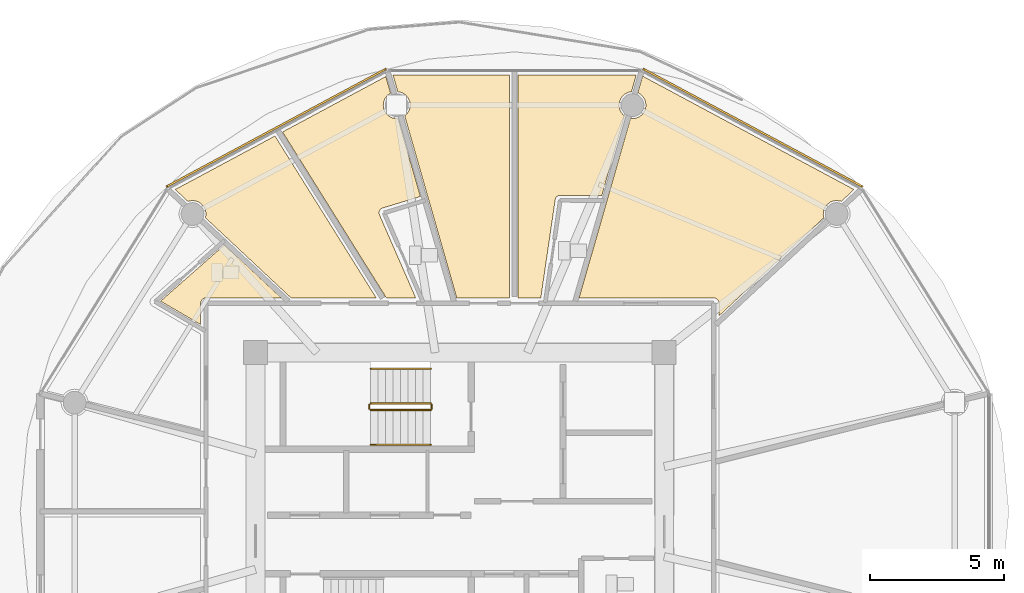
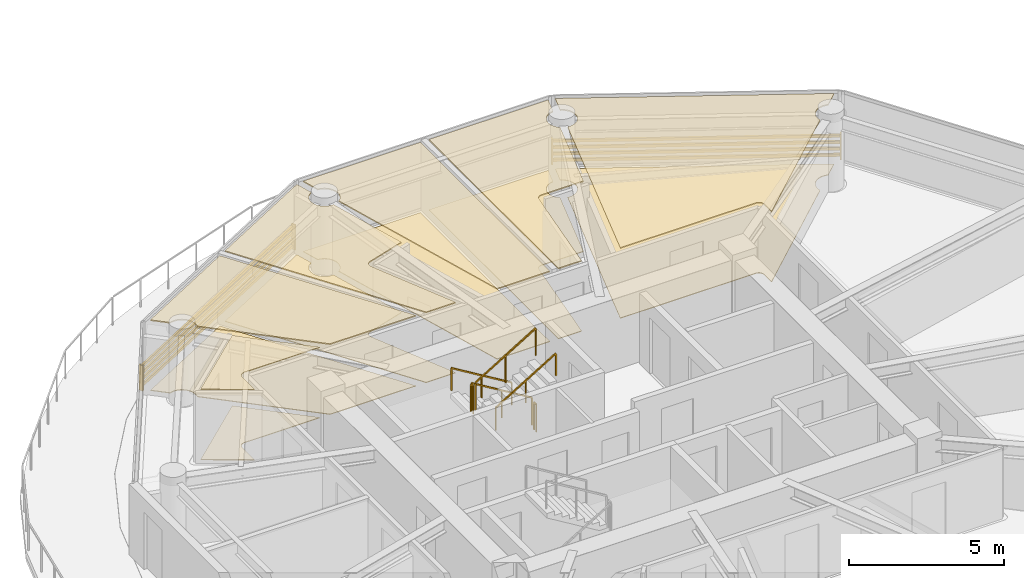
# One storey, part 24 of 32: 12 coverings, 6 railings, 2 shading devices.
"""IFC4 building model written with IfcOpenShell, lengths in metres."""

from ifc_helpers import new_model, si_unit, direction, frame, origin, origin_2d, place, context, subcontext, project, spatial, polyline, rectangle, outline, extrude, source, transform, mapped, material, layer, layer_set, type_object, type_shapes, element, save


model = new_model("IFC4")

# Units and contexts
model_context = context("Model", 3, precision=1e-05, world=origin(), true_north=direction((0.0, 1.0)))
body_context = subcontext(model_context, "Body", "Model", "MODEL_VIEW")
ifc_project = project(units=[si_unit("LENGTHUNIT", "METRE"), si_unit("AREAUNIT", "SQUARE_METRE"), si_unit("VOLUMEUNIT", "CUBIC_METRE"), si_unit("PLANEANGLEUNIT", "RADIAN"), si_unit("MASSUNIT", "GRAM", prefix="KILO")], contexts=[model_context])

# Site, building, storey
site_placement = place(None, origin())
site = spatial("IfcSite", under=ifc_project, at=site_placement, CompositionType="ELEMENT")
building_placement = place(site_placement, origin())
building = spatial("IfcBuilding", under=site, at=building_placement, Name="Norrkilde Senior Care Towers", CompositionType="ELEMENT")
storey_placement = place(building_placement, frame((0.0, 0.0, 77.949951171875)))
storey = spatial("IfcBuildingStorey", under=building, at=storey_placement, Name="L23", CompositionType="ELEMENT", Elevation=77.949951171875)

# Coverings
ifc_material_1 = material(Name="Nordic Ash Timber", Category="wood")
ifc_layer_1 = layer(ifc_material_1, 0.044921875)
ifc_layer_set_1 = layer_set([ifc_layer_1], Name="Nordic Ash Timber")
covering_type_1 = type_object("IfcCoveringType", Name="Acoustic Ash Timber Slatted Ceiling 45", PredefinedType="CEILING", material=ifc_layer_set_1)
covering_1_placement = place(storey_placement, frame((0.0, 0.0, 2.7451171875)))
element("IfcCovering", 1, at=covering_1_placement, inside=storey, type_object=covering_type_1, Name="L23 Suspended Ceiling 0216", PredefinedType="CEILING", context=body_context, shape_type="SweptSolid", body=[
    extrude(outline(polyline([(-18.302734375, 7.833251953125), (-18.30517578125, 7.8447265625), (-18.30712890625, 7.852294921875), (-18.310546875, 7.86376953125), (-18.31298828125, 7.87109375), (-18.317626953125, 7.8818359375), (-18.321044921875, 7.888916015625), (-18.326416015625, 7.8994140625), (-18.33056640625, 7.90625), (-18.337158203125, 7.916015625), (-18.341796875, 7.92236328125), (-18.34912109375, 7.931396484375), (-18.3544921875, 7.937255859375), (-18.36279296875, 7.945556640625), (-18.36865234375, 7.95068359375), (-18.377685546875, 7.958251953125), (-18.384033203125, 7.962890625), (-18.393798828125, 7.969482421875), (-18.400634765625, 7.973388671875), (-18.410888671875, 7.97900390625), (-18.41796875, 7.982421875), (-18.428955078125, 7.98681640625), (-18.436279296875, 7.989501953125), (-18.447509765625, 7.992919921875), (-18.455322265625, 7.994873046875), (-18.466796875, 7.9970703125), (-18.474609375, 7.998291015625), (-18.486328125, 7.99951171875), (-18.494140625, 7.999755859375), (-18.5, 8.0), (-23.53515625, 8.0), (-21.612060546875, 14.71826171875), (-21.537109375, 14.708251953125), (-21.406494140625, 14.7255859375), (-21.28466796875, 14.77587890625), (-21.179931640625, 14.856201171875), (-21.099853515625, 14.9609375), (-21.04931640625, 15.08251953125), (-21.0322265625, 15.21337890625), (-21.04931640625, 15.343994140625), (-21.099853515625, 15.4658203125), (-21.179931640625, 15.5703125), (-21.28466796875, 15.650634765625), (-21.3388671875, 15.673095703125), (-21.159423828125, 16.2998046875), (-13.2470703125, 12.055419921875), (-13.724365234375, 11.608642578125), (-13.76318359375, 11.624755859375), (-13.893798828125, 11.641845703125), (-14.0244140625, 11.624755859375), (-14.146240234375, 11.57421875), (-14.2509765625, 11.494140625), (-14.3310546875, 11.389404296875), (-14.381591796875, 11.267578125), (-14.39892578125, 11.136962890625), (-14.381591796875, 11.00634765625), (-14.377685546875, 10.9970703125), (-18.300048828125, 7.325439453125), (-18.300048828125, 7.800048828125), (-18.300048828125, 7.805908203125), (-18.300537109375, 7.813720703125), (-18.3017578125, 7.825439453125), (-18.302734375, 7.833251953125)])), origin(), (0.0, 0.0, 1.0), 0.044921875),
])
covering_2_placement = place(storey_placement, frame((0.0, 0.0, 2.7451171875)))
element("IfcCovering", 2, at=covering_2_placement, inside=storey, type_object=covering_type_1, Name="L23 Suspended Ceiling 0217", PredefinedType="CEILING", context=body_context, shape_type="SweptSolid", body=[
    extrude(outline(polyline([(-24.265869140625, 11.83740234375), (-24.2724609375, 11.83642578125), (-24.28369140625, 11.834228515625), (-24.2900390625, 11.832763671875), (-24.301025390625, 11.82958984375), (-24.307373046875, 11.827392578125), (-24.31787109375, 11.8232421875), (-24.323974609375, 11.820556640625), (-24.334228515625, 11.815185546875), (-24.33984375, 11.81201171875), (-24.349609375, 11.8056640625), (-24.35498046875, 11.802001953125), (-24.364013671875, 11.794921875), (-24.368896484375, 11.79052734375), (-24.377197265625, 11.78271484375), (-24.3818359375, 11.77783203125), (-24.389404296875, 11.769287109375), (-24.3935546875, 11.76416015625), (-24.400146484375, 11.7548828125), (-24.40380859375, 11.749267578125), (-24.409423828125, 11.7392578125), (-24.41259765625, 11.7333984375), (-24.417236328125, 11.72314453125), (-24.419677734375, 11.716796875), (-24.423583984375, 11.7060546875), (-24.425537109375, 11.69970703125), (-24.42822265625, 11.688720703125), (-24.429443359375, 11.68212890625), (-24.430419921875, 11.676513671875), (-24.96923828125, 8.0), (-25.830078125, 8.0), (-25.830078125, 16.33935546875), (-21.397705078125, 16.33935546875), (-21.5771484375, 15.713134765625), (-21.667724609375, 15.701171875), (-21.78955078125, 15.650634765625), (-21.894287109375, 15.5703125), (-21.974365234375, 15.4658203125), (-22.02490234375, 15.343994140625), (-22.042236328125, 15.21337890625), (-22.02490234375, 15.08251953125), (-21.974365234375, 14.9609375), (-21.894287109375, 14.856201171875), (-21.835205078125, 14.81103515625), (-22.6865234375, 11.8369140625), (-24.2421875, 11.8388671875), (-24.247802734375, 11.8388671875), (-24.254638671875, 11.83837890625), (-24.265869140625, 11.83740234375)])), origin(), (0.0, 0.0, 1.0), 0.044921875),
])
covering_3_placement = place(storey_placement, frame((0.0, 0.0, 2.7451171875)))
element("IfcCovering", 3, at=covering_3_placement, inside=storey, type_object=covering_type_1, Name="L23 Suspended Ceiling 0218", PredefinedType="CEILING", context=body_context, shape_type="SweptSolid", body=[
    extrude(outline(polyline([(-26.14990234375, 16.33935546875), (-26.14990234375, 8.0), (-28.115234375, 8.0), (-30.064697265625, 14.81103515625), (-30.005859375, 14.856201171875), (-29.925537109375, 14.9609375), (-29.875, 15.08251953125), (-29.85791015625, 15.21337890625), (-29.875, 15.343994140625), (-29.925537109375, 15.4658203125), (-30.005859375, 15.5703125), (-30.1103515625, 15.650634765625), (-30.232177734375, 15.701171875), (-30.322998046875, 15.713134765625), (-30.502197265625, 16.33935546875), (-26.14990234375, 16.33935546875)])), origin(), (0.0, 0.0, 1.0), 0.044921875),
])
covering_4_placement = place(storey_placement, frame((0.0, 0.0, 2.7451171875)))
element("IfcCovering", 4, at=covering_4_placement, inside=storey, type_object=covering_type_1, Name="L23 Suspended Ceiling 0219", PredefinedType="CEILING", context=body_context, shape_type="SweptSolid", body=[
    extrude(outline(polyline([(-30.911376953125, 11.353271484375), (-30.91748046875, 11.35009765625), (-30.927978515625, 11.344482421875), (-30.933837890625, 11.341064453125), (-30.94384765625, 11.334228515625), (-30.94921875, 11.330078125), (-30.95849609375, 11.322509765625), (-30.963623046875, 11.31787109375), (-30.971923828125, 11.309326171875), (-30.9765625, 11.30419921875), (-30.984130859375, 11.294921875), (-30.988037109375, 11.289306640625), (-30.99462890625, 11.279296875), (-30.998046875, 11.2734375), (-31.003662109375, 11.262939453125), (-31.006591796875, 11.256591796875), (-31.010986328125, 11.24560546875), (-31.01318359375, 11.239013671875), (-31.0166015625, 11.2275390625), (-31.01806640625, 11.220703125), (-31.020263671875, 11.208984375), (-31.021240234375, 11.2021484375), (-31.022216796875, 11.1904296875), (-31.0224609375, 11.183349609375), (-31.022216796875, 11.17138671875), (-31.021728515625, 11.16455078125), (-31.0205078125, 11.15283203125), (-31.019287109375, 11.14599609375), (-31.016845703125, 11.13427734375), (-31.014892578125, 11.127685546875), (-31.011474609375, 11.1162109375), (-31.0087890625, 11.10986328125), (-31.006591796875, 11.104248046875), (-29.65087890625, 8.0), (-30.751708984375, 8.0), (-30.78564453125, 8.05517578125), (-30.7861328125, 8.055908203125), (-34.635986328125, 14.210205078125), (-30.770751953125, 16.283447265625), (-30.591064453125, 15.66064453125), (-30.615478515625, 15.650634765625), (-30.719970703125, 15.5703125), (-30.80029296875, 15.4658203125), (-30.8505859375, 15.343994140625), (-30.867919921875, 15.21337890625), (-30.8505859375, 15.08251953125), (-30.80029296875, 14.9609375), (-30.719970703125, 14.856201171875), (-30.615478515625, 14.77587890625), (-30.49365234375, 14.7255859375), (-30.36279296875, 14.708251953125), (-30.318115234375, 14.714111328125), (-29.475341796875, 11.794189453125), (-30.88818359375, 11.362060546875), (-30.893798828125, 11.360107421875), (-30.900390625, 11.357666015625), (-30.911376953125, 11.353271484375)])), origin(), (0.0, 0.0, 1.0), 0.044921875),
])
covering_5_placement = place(storey_placement, frame((0.0, 0.0, 2.7451171875)))
element("IfcCovering", 5, at=covering_5_placement, inside=storey, type_object=covering_type_1, Name="L23 Suspended Ceiling 0220", PredefinedType="CEILING", context=body_context, shape_type="SweptSolid", body=[
    extrude(outline(polyline([(-34.320556640625, 8.0), (-37.522216796875, 10.9970703125), (-37.518310546875, 11.00634765625), (-37.501220703125, 11.136962890625), (-37.518310546875, 11.267578125), (-37.56884765625, 11.389404296875), (-37.649169921875, 11.494140625), (-37.753662109375, 11.57421875), (-37.87548828125, 11.624755859375), (-38.006103515625, 11.641845703125), (-38.136962890625, 11.624755859375), (-38.17578125, 11.608642578125), (-38.65283203125, 12.055419921875), (-34.918701171875, 14.05859375), (-31.128662109375, 8.0), (-34.320556640625, 8.0)])), origin(), (0.0, 0.0, 1.0), 0.044921875),
])
ifc_material_2 = material(Name="Gypsum Acoustic Board")
ifc_layer_2 = layer(ifc_material_2, 0.030029296875)
ifc_layer_set_2 = layer_set([ifc_layer_2], Name="Gypsum Acoustic Board")
covering_type_2 = type_object("IfcCoveringType", Name="Medical Cleanable Gypsum Ceiling 30", PredefinedType="CEILING", material=ifc_layer_set_2)
covering_6_placement = place(storey_placement, frame((0.0, 0.0, 2.760009765625)))
element("IfcCovering", 6, at=covering_6_placement, inside=storey, type_object=covering_type_2, Name="L23 Suspended Ceiling 0222", PredefinedType="CEILING", context=body_context, shape_type="SweptSolid", body=[
    extrude(outline(polyline([(-37.513671875, 7.99951171875), (-37.525390625, 7.998291015625), (-37.533203125, 7.9970703125), (-37.544677734375, 7.994873046875), (-37.552490234375, 7.992919921875), (-37.563720703125, 7.989501953125), (-37.571044921875, 7.98681640625), (-37.58203125, 7.982421875), (-37.589111328125, 7.97900390625), (-37.599365234375, 7.973388671875), (-37.606201171875, 7.969482421875), (-37.615966796875, 7.962890625), (-37.622314453125, 7.958251953125), (-37.63134765625, 7.95068359375), (-37.63720703125, 7.945556640625), (-37.6455078125, 7.937255859375), (-37.65087890625, 7.931396484375), (-37.658203125, 7.92236328125), (-37.662841796875, 7.916015625), (-37.66943359375, 7.90625), (-37.673583984375, 7.8994140625), (-37.678955078125, 7.888916015625), (-37.682373046875, 7.8818359375), (-37.68701171875, 7.87109375), (-37.689453125, 7.86376953125), (-37.69287109375, 7.852294921875), (-37.69482421875, 7.8447265625), (-37.697265625, 7.833251953125), (-37.6982421875, 7.825439453125), (-37.699462890625, 7.813720703125), (-37.699951171875, 7.805908203125), (-37.699951171875, 7.800048828125), (-37.699951171875, 7.0), (-39.201171875, 7.876708984375), (-36.8095703125, 9.983642578125), (-34.686767578125, 8.0), (-37.5, 8.0), (-37.505859375, 7.999755859375), (-37.513671875, 7.99951171875)])), origin(), (0.0, 0.0, 1.0), 0.030029296875),
])
ifc_material_3 = material(Name="Slip-Resistant Porcelain Stone", Category="masonry")
ifc_layer_3 = layer(ifc_material_3, 0.02490234375)
ifc_layer_set_3 = layer_set([ifc_layer_3], Name="Slip-Resistant Porcelain Stone")
covering_type_3 = type_object("IfcCoveringType", Name="Slip-Resistant Porcelain Flooring 25", PredefinedType="FLOORING", material=ifc_layer_set_3)
covering_7_placement = place(storey_placement, origin())
element("IfcCovering", 7, at=covering_7_placement, inside=storey, type_object=covering_type_3, Name="L23 Floor Finish 0216", PredefinedType="FLOORING", context=body_context, shape_type="SweptSolid", body=[
    extrude(outline(polyline([(-18.302734375, 7.833251953125), (-18.30517578125, 7.8447265625), (-18.30712890625, 7.852294921875), (-18.310546875, 7.86376953125), (-18.31298828125, 7.87109375), (-18.317626953125, 7.8818359375), (-18.321044921875, 7.888916015625), (-18.326416015625, 7.8994140625), (-18.33056640625, 7.90625), (-18.337158203125, 7.916015625), (-18.341796875, 7.92236328125), (-18.34912109375, 7.931396484375), (-18.3544921875, 7.937255859375), (-18.36279296875, 7.945556640625), (-18.36865234375, 7.95068359375), (-18.377685546875, 7.958251953125), (-18.384033203125, 7.962890625), (-18.393798828125, 7.969482421875), (-18.400634765625, 7.973388671875), (-18.410888671875, 7.97900390625), (-18.41796875, 7.982421875), (-18.428955078125, 7.98681640625), (-18.436279296875, 7.989501953125), (-18.447509765625, 7.992919921875), (-18.455322265625, 7.994873046875), (-18.466796875, 7.9970703125), (-18.474609375, 7.998291015625), (-18.486328125, 7.99951171875), (-18.494140625, 7.999755859375), (-18.5, 8.0), (-23.53515625, 8.0), (-21.612060546875, 14.71826171875), (-21.537109375, 14.708251953125), (-21.406494140625, 14.7255859375), (-21.28466796875, 14.77587890625), (-21.179931640625, 14.856201171875), (-21.099853515625, 14.9609375), (-21.04931640625, 15.08251953125), (-21.0322265625, 15.21337890625), (-21.04931640625, 15.343994140625), (-21.099853515625, 15.4658203125), (-21.179931640625, 15.5703125), (-21.28466796875, 15.650634765625), (-21.3388671875, 15.673095703125), (-21.159423828125, 16.2998046875), (-13.2470703125, 12.055419921875), (-13.724365234375, 11.608642578125), (-13.76318359375, 11.624755859375), (-13.893798828125, 11.641845703125), (-14.0244140625, 11.624755859375), (-14.146240234375, 11.57421875), (-14.2509765625, 11.494140625), (-14.3310546875, 11.389404296875), (-14.381591796875, 11.267578125), (-14.39892578125, 11.136962890625), (-14.381591796875, 11.00634765625), (-14.377685546875, 10.9970703125), (-18.300048828125, 7.325439453125), (-18.300048828125, 7.800048828125), (-18.300048828125, 7.805908203125), (-18.300537109375, 7.813720703125), (-18.3017578125, 7.825439453125), (-18.302734375, 7.833251953125)])), origin(), (0.0, 0.0, 1.0), 0.025146484375),
])
covering_8_placement = place(storey_placement, origin())
element("IfcCovering", 8, at=covering_8_placement, inside=storey, type_object=covering_type_3, Name="L23 Floor Finish 0217", PredefinedType="FLOORING", context=body_context, shape_type="SweptSolid", body=[
    extrude(outline(polyline([(-24.265869140625, 11.83740234375), (-24.2724609375, 11.83642578125), (-24.28369140625, 11.834228515625), (-24.2900390625, 11.832763671875), (-24.301025390625, 11.82958984375), (-24.307373046875, 11.827392578125), (-24.31787109375, 11.8232421875), (-24.323974609375, 11.820556640625), (-24.334228515625, 11.815185546875), (-24.33984375, 11.81201171875), (-24.349609375, 11.8056640625), (-24.35498046875, 11.802001953125), (-24.364013671875, 11.794921875), (-24.368896484375, 11.79052734375), (-24.377197265625, 11.78271484375), (-24.3818359375, 11.77783203125), (-24.389404296875, 11.769287109375), (-24.3935546875, 11.76416015625), (-24.400146484375, 11.7548828125), (-24.40380859375, 11.749267578125), (-24.409423828125, 11.7392578125), (-24.41259765625, 11.7333984375), (-24.417236328125, 11.72314453125), (-24.419677734375, 11.716796875), (-24.423583984375, 11.7060546875), (-24.425537109375, 11.69970703125), (-24.42822265625, 11.688720703125), (-24.429443359375, 11.68212890625), (-24.430419921875, 11.676513671875), (-24.96923828125, 8.0), (-25.830078125, 8.0), (-25.830078125, 16.33935546875), (-21.397705078125, 16.33935546875), (-21.5771484375, 15.713134765625), (-21.667724609375, 15.701171875), (-21.78955078125, 15.650634765625), (-21.894287109375, 15.5703125), (-21.974365234375, 15.4658203125), (-22.02490234375, 15.343994140625), (-22.042236328125, 15.21337890625), (-22.02490234375, 15.08251953125), (-21.974365234375, 14.9609375), (-21.894287109375, 14.856201171875), (-21.835205078125, 14.81103515625), (-22.6865234375, 11.8369140625), (-24.2421875, 11.8388671875), (-24.247802734375, 11.8388671875), (-24.254638671875, 11.83837890625), (-24.265869140625, 11.83740234375)])), origin(), (0.0, 0.0, 1.0), 0.025146484375),
])
covering_9_placement = place(storey_placement, origin())
element("IfcCovering", 9, at=covering_9_placement, inside=storey, type_object=covering_type_3, Name="L23 Floor Finish 0218", PredefinedType="FLOORING", context=body_context, shape_type="SweptSolid", body=[
    extrude(outline(polyline([(-26.14990234375, 16.33935546875), (-26.14990234375, 8.0), (-28.115234375, 8.0), (-30.064697265625, 14.81103515625), (-30.005859375, 14.856201171875), (-29.925537109375, 14.9609375), (-29.875, 15.08251953125), (-29.85791015625, 15.21337890625), (-29.875, 15.343994140625), (-29.925537109375, 15.4658203125), (-30.005859375, 15.5703125), (-30.1103515625, 15.650634765625), (-30.232177734375, 15.701171875), (-30.322998046875, 15.713134765625), (-30.502197265625, 16.33935546875), (-26.14990234375, 16.33935546875)])), origin(), (0.0, 0.0, 1.0), 0.025146484375),
])
covering_10_placement = place(storey_placement, origin())
element("IfcCovering", 10, at=covering_10_placement, inside=storey, type_object=covering_type_3, Name="L23 Floor Finish 0219", PredefinedType="FLOORING", context=body_context, shape_type="SweptSolid", body=[
    extrude(outline(polyline([(-30.911376953125, 11.353271484375), (-30.91748046875, 11.35009765625), (-30.927978515625, 11.344482421875), (-30.933837890625, 11.341064453125), (-30.94384765625, 11.334228515625), (-30.94921875, 11.330078125), (-30.95849609375, 11.322509765625), (-30.963623046875, 11.31787109375), (-30.971923828125, 11.309326171875), (-30.9765625, 11.30419921875), (-30.984130859375, 11.294921875), (-30.988037109375, 11.289306640625), (-30.99462890625, 11.279296875), (-30.998046875, 11.2734375), (-31.003662109375, 11.262939453125), (-31.006591796875, 11.256591796875), (-31.010986328125, 11.24560546875), (-31.01318359375, 11.239013671875), (-31.0166015625, 11.2275390625), (-31.01806640625, 11.220703125), (-31.020263671875, 11.208984375), (-31.021240234375, 11.2021484375), (-31.022216796875, 11.1904296875), (-31.0224609375, 11.183349609375), (-31.022216796875, 11.17138671875), (-31.021728515625, 11.16455078125), (-31.0205078125, 11.15283203125), (-31.019287109375, 11.14599609375), (-31.016845703125, 11.13427734375), (-31.014892578125, 11.127685546875), (-31.011474609375, 11.1162109375), (-31.0087890625, 11.10986328125), (-31.006591796875, 11.104248046875), (-29.65087890625, 8.0), (-30.751708984375, 8.0), (-30.78564453125, 8.05517578125), (-30.7861328125, 8.055908203125), (-34.635986328125, 14.210205078125), (-30.770751953125, 16.283447265625), (-30.591064453125, 15.66064453125), (-30.615478515625, 15.650634765625), (-30.719970703125, 15.5703125), (-30.80029296875, 15.4658203125), (-30.8505859375, 15.343994140625), (-30.867919921875, 15.21337890625), (-30.8505859375, 15.08251953125), (-30.80029296875, 14.9609375), (-30.719970703125, 14.856201171875), (-30.615478515625, 14.77587890625), (-30.49365234375, 14.7255859375), (-30.36279296875, 14.708251953125), (-30.318115234375, 14.714111328125), (-29.475341796875, 11.794189453125), (-30.88818359375, 11.362060546875), (-30.893798828125, 11.360107421875), (-30.900390625, 11.357666015625), (-30.911376953125, 11.353271484375)])), origin(), (0.0, 0.0, 1.0), 0.025146484375),
])
covering_11_placement = place(storey_placement, origin())
element("IfcCovering", 11, at=covering_11_placement, inside=storey, type_object=covering_type_3, Name="L23 Floor Finish 0220", PredefinedType="FLOORING", context=body_context, shape_type="SweptSolid", body=[
    extrude(outline(polyline([(-34.320556640625, 8.0), (-37.522216796875, 10.9970703125), (-37.518310546875, 11.00634765625), (-37.501220703125, 11.136962890625), (-37.518310546875, 11.267578125), (-37.56884765625, 11.389404296875), (-37.649169921875, 11.494140625), (-37.753662109375, 11.57421875), (-37.87548828125, 11.624755859375), (-38.006103515625, 11.641845703125), (-38.136962890625, 11.624755859375), (-38.17578125, 11.608642578125), (-38.65283203125, 12.055419921875), (-34.918701171875, 14.05859375), (-31.128662109375, 8.0), (-34.320556640625, 8.0)])), origin(), (0.0, 0.0, 1.0), 0.025146484375),
])
covering_12_placement = place(storey_placement, origin())
element("IfcCovering", 12, at=covering_12_placement, inside=storey, type_object=covering_type_3, Name="L23 Floor Finish 0222", PredefinedType="FLOORING", context=body_context, shape_type="SweptSolid", body=[
    extrude(outline(polyline([(-37.513671875, 7.99951171875), (-37.525390625, 7.998291015625), (-37.533203125, 7.9970703125), (-37.544677734375, 7.994873046875), (-37.552490234375, 7.992919921875), (-37.563720703125, 7.989501953125), (-37.571044921875, 7.98681640625), (-37.58203125, 7.982421875), (-37.589111328125, 7.97900390625), (-37.599365234375, 7.973388671875), (-37.606201171875, 7.969482421875), (-37.615966796875, 7.962890625), (-37.622314453125, 7.958251953125), (-37.63134765625, 7.95068359375), (-37.63720703125, 7.945556640625), (-37.6455078125, 7.937255859375), (-37.65087890625, 7.931396484375), (-37.658203125, 7.92236328125), (-37.662841796875, 7.916015625), (-37.66943359375, 7.90625), (-37.673583984375, 7.8994140625), (-37.678955078125, 7.888916015625), (-37.682373046875, 7.8818359375), (-37.68701171875, 7.87109375), (-37.689453125, 7.86376953125), (-37.69287109375, 7.852294921875), (-37.69482421875, 7.8447265625), (-37.697265625, 7.833251953125), (-37.6982421875, 7.825439453125), (-37.699462890625, 7.813720703125), (-37.699951171875, 7.805908203125), (-37.699951171875, 7.800048828125), (-37.699951171875, 7.0), (-39.201171875, 7.876708984375), (-36.8095703125, 9.983642578125), (-34.686767578125, 8.0), (-37.5, 8.0), (-37.505859375, 7.999755859375), (-37.513671875, 7.99951171875)])), origin(), (0.0, 0.0, 1.0), 0.025146484375),
])

# Railings
ifc_material_4 = material(Name="Stainless Steel", Category="steel")
railing_type_1 = type_object("IfcRailingType", Name="Stair and Terrace Guardrail 1100", PredefinedType="GUARDRAIL", material=ifc_material_4)
railing_1_placement = place(storey_placement, frame((-29.10009765625, 4.050048828125, 0.16943359375)))
element("IfcRailing", 13, at=railing_1_placement, inside=storey, type_object=railing_type_1, Name="L23 ST-W1 stair guard 1", PredefinedType="GUARDRAIL", context=body_context, shape_type="SweptSolid", body=[
    extrude(rectangle(XDim=0.048095703125, YDim=0.048095703125, at=origin_2d()), frame((0.0, 0.0, 1.076171875), z_axis=(-0.855512035549, 0.0, 0.517782924622), x_axis=(0.0, -1.0, 0.0)), (0.0, 0.0, 1.0), 2.618408203125),
    extrude(rectangle(XDim=0.0419921875, YDim=0.0419921875, at=origin_2d()), origin(), (0.0, 0.0, 1.0), 1.050048828125),
    extrude(rectangle(XDim=0.0419921875, YDim=0.0419921875, at=origin_2d()), frame((-1.1201171875, 0.0, 0.677734375)), (0.0, 0.0, 1.0), 1.050048828125),
    extrude(rectangle(XDim=0.0419921875, YDim=0.0419921875, at=origin_2d()), frame((-2.239990234375, 0.0, 1.355712890625)), (0.0, 0.0, 1.0), 1.050048828125),
])
railing_2_placement = place(storey_placement, frame((-31.389892578125, 4.0, 1.525146484375)))
element("IfcRailing", 14, at=railing_2_placement, inside=storey, type_object=railing_type_1, Name="L23 ST-W1 stair guard 2", PredefinedType="GUARDRAIL", context=body_context, shape_type="SweptSolid", body=[
    extrude(rectangle(XDim=0.048095703125, YDim=0.048095703125, at=origin_2d()), frame((0.0, 0.0, 1.076171875), z_axis=(0.0, -1.0, 0.0), x_axis=(1.0, 0.0, 0.0)), (0.0, 0.0, 1.0), 0.14990234375),
    extrude(rectangle(XDim=0.0419921875, YDim=0.0419921875, at=origin_2d()), origin(), (0.0, 0.0, 1.0), 1.050048828125),
    extrude(rectangle(XDim=0.0419921875, YDim=0.0419921875, at=origin_2d()), frame((0.0, -0.14990234375, 0.0)), (0.0, 0.0, 1.0), 1.050048828125),
])
railing_3_placement = place(storey_placement, frame((-31.340087890625, 3.800048828125, 1.694580078125)))
element("IfcRailing", 15, at=railing_3_placement, inside=storey, type_object=railing_type_1, Name="L23 ST-W1 stair guard 3", PredefinedType="GUARDRAIL", context=body_context, shape_type="SweptSolid", body=[
    extrude(rectangle(XDim=0.048095703125, YDim=0.048095703125, at=origin_2d()), frame((0.0, 0.0, 1.076171875), z_axis=(0.855553338991, 0.0, 0.51771467445), x_axis=(0.0, 1.0, 0.0)), (0.0, 0.0, 1.0), 2.6181640625),
    extrude(rectangle(XDim=0.0419921875, YDim=0.0419921875, at=origin_2d()), origin(), (0.0, 0.0, 1.0), 1.050048828125),
    extrude(rectangle(XDim=0.0419921875, YDim=0.0419921875, at=origin_2d()), frame((1.1201171875, 0.0, 0.677734375)), (0.0, 0.0, 1.0), 1.050048828125),
    extrude(rectangle(XDim=0.0419921875, YDim=0.0419921875, at=origin_2d()), frame((2.239990234375, 0.0, 1.35546875)), (0.0, 0.0, 1.0), 1.050048828125),
])
railing_4_placement = place(storey_placement, frame((-29.050048828125, 4.0, 0.0)))
element("IfcRailing", 16, at=railing_4_placement, inside=storey, type_object=railing_type_1, Name="L23 ST-W1 stair guard 4", PredefinedType="GUARDRAIL", context=body_context, shape_type="SweptSolid", body=[
    extrude(rectangle(XDim=0.048095703125, YDim=0.048095703125, at=origin_2d()), frame((0.0, 0.0, 1.076171875), z_axis=(0.0, -1.0, 0.0), x_axis=(1.0, 0.0, 0.0)), (0.0, 0.0, 1.0), 0.14990234375),
    extrude(rectangle(XDim=0.0419921875, YDim=0.0419921875, at=origin_2d()), origin(), (0.0, 0.0, 1.0), 1.050048828125),
    extrude(rectangle(XDim=0.0419921875, YDim=0.0419921875, at=origin_2d()), frame((0.0, -0.14990234375, 0.0)), (0.0, 0.0, 1.0), 1.050048828125),
])
railing_type_2 = type_object("IfcRailingType", Name="Wall and Stair Handrail 900", PredefinedType="HANDRAIL", material=ifc_material_1)
railing_5_placement = place(storey_placement, frame((-29.10009765625, 5.35009765625, 0.16943359375)))
element("IfcRailing", 17, at=railing_5_placement, inside=storey, type_object=railing_type_2, Name="L23 ST-W1 stair handrail 1", PredefinedType="HANDRAIL", context=body_context, shape_type="SweptSolid", body=[
    extrude(rectangle(XDim=0.048095703125, YDim=0.048095703125, at=origin_2d()), frame((0.0, 0.0, 0.8759765625), z_axis=(-0.855512035549, 0.0, 0.517782924622), x_axis=(0.0, -1.0, 0.0)), (0.0, 0.0, 1.0), 2.618408203125),
    extrude(rectangle(XDim=0.0419921875, YDim=0.0419921875, at=origin_2d()), origin(), (0.0, 0.0, 1.0), 0.849853515625),
    extrude(rectangle(XDim=0.0419921875, YDim=0.0419921875, at=origin_2d()), frame((-1.1201171875, 0.0, 0.677734375)), (0.0, 0.0, 1.0), 0.849853515625),
    extrude(rectangle(XDim=0.0419921875, YDim=0.0419921875, at=origin_2d()), frame((-2.239990234375, 0.0, 1.355712890625)), (0.0, 0.0, 1.0), 0.849853515625),
])
railing_6_placement = place(storey_placement, frame((-31.340087890625, 2.5, 1.694580078125)))
element("IfcRailing", 18, at=railing_6_placement, inside=storey, type_object=railing_type_2, Name="L23 ST-W1 stair handrail 2", PredefinedType="HANDRAIL", context=body_context, shape_type="SweptSolid", body=[
    extrude(rectangle(XDim=0.048095703125, YDim=0.048095703125, at=origin_2d()), frame((0.0, 0.0, 0.8759765625), z_axis=(0.855553338991, 0.0, 0.51771467445), x_axis=(0.0, 1.0, 0.0)), (0.0, 0.0, 1.0), 2.6181640625),
    extrude(rectangle(XDim=0.0419921875, YDim=0.0419921875, at=origin_2d()), origin(), (0.0, 0.0, 1.0), 0.849853515625),
    extrude(rectangle(XDim=0.0419921875, YDim=0.0419921875, at=origin_2d()), frame((1.1201171875, 0.0, 0.677734375)), (0.0, 0.0, 1.0), 0.849853515625),
    extrude(rectangle(XDim=0.0419921875, YDim=0.0419921875, at=origin_2d()), frame((2.239990234375, 0.0, 1.35546875)), (0.0, 0.0, 1.0), 0.849853515625),
])

# Shading devices
ifc_material_5 = material(Name="Architectural Terracotta", Category="masonry")
shading_device_type = type_object("IfcShadingDeviceType", Name="Horizontal Terracotta Baguette Rack", PredefinedType="USERDEFINED", material=ifc_material_5)
shared_shape = source(origin(), body_context, "Body", "SweptSolid", [
    extrude(rectangle(XDim=0.070068359375, YDim=0.110107421875, at=origin_2d()), frame((0.0, 0.090087890625, 0.125), z_axis=(1.0, 0.0, 0.0), x_axis=(0.0, 1.0, 0.0)), (0.0, 0.0, 1.0), 9.3505859375),
    extrude(rectangle(XDim=0.070068359375, YDim=0.110107421875, at=origin_2d()), frame((0.0, 0.090087890625, 0.375), z_axis=(1.0, 0.0, 0.0), x_axis=(0.0, 1.0, 0.0)), (0.0, 0.0, 1.0), 9.3505859375),
    extrude(rectangle(XDim=0.070068359375, YDim=0.110107421875, at=origin_2d()), frame((0.0, 0.090087890625, 0.625), z_axis=(1.0, 0.0, 0.0), x_axis=(0.0, 1.0, 0.0)), (0.0, 0.0, 1.0), 9.3505859375),
    extrude(rectangle(XDim=0.070068359375, YDim=0.110107421875, at=origin_2d()), frame((0.0, 0.090087890625, 0.875), z_axis=(1.0, 0.0, 0.0), x_axis=(0.0, 1.0, 0.0)), (0.0, 0.0, 1.0), 9.3505859375),
    extrude(rectangle(XDim=0.050048828125, YDim=0.1552734375, at=origin_2d()), frame((0.02490234375, 0.047607421875, 0.0)), (0.0, 0.0, 1.0), 1.0),
    extrude(rectangle(XDim=0.050048828125, YDim=0.1552734375, at=origin_2d()), frame((9.32568359375, 0.047607421875, 0.0)), (0.0, 0.0, 1.0), 1.0),
])
type_shapes(shading_device_type, [shared_shape])
for number, where, z_axis, x_axis, name in (
    (19, (-21.19287109375, 16.498046875, 0.080078125), (0.0, 0.0, 1.0), (0.881174934726, -0.472767624021, 0.0), "L23 Drum W Terracotta Baguette Screen 01"),
    (20, (-38.946533203125, 12.077392578125, 0.080078125), (0.0, 0.0, 1.0), (0.881174934726, 0.472767624021, 0.0), "L23 Drum W Terracotta Baguette Screen 03"),
):
    element("IfcShadingDevice", number, at=place(storey_placement, frame(where, z_axis=z_axis, x_axis=x_axis)), inside=storey, type_object=shading_device_type, Name=name, ObjectType="BAGUETTE", PredefinedType="USERDEFINED", context=body_context, shape_type="MappedRepresentation", body=[
        mapped(shared_shape, transform((0.0, 0.0, 0.0), x_axis=(1.0, 0.0, 0.0), y_axis=(0.0, 1.0, 0.0), z_axis=(0.0, 0.0, 1.0), scale=1.0)),
    ])

save(model, "model.ifc")
